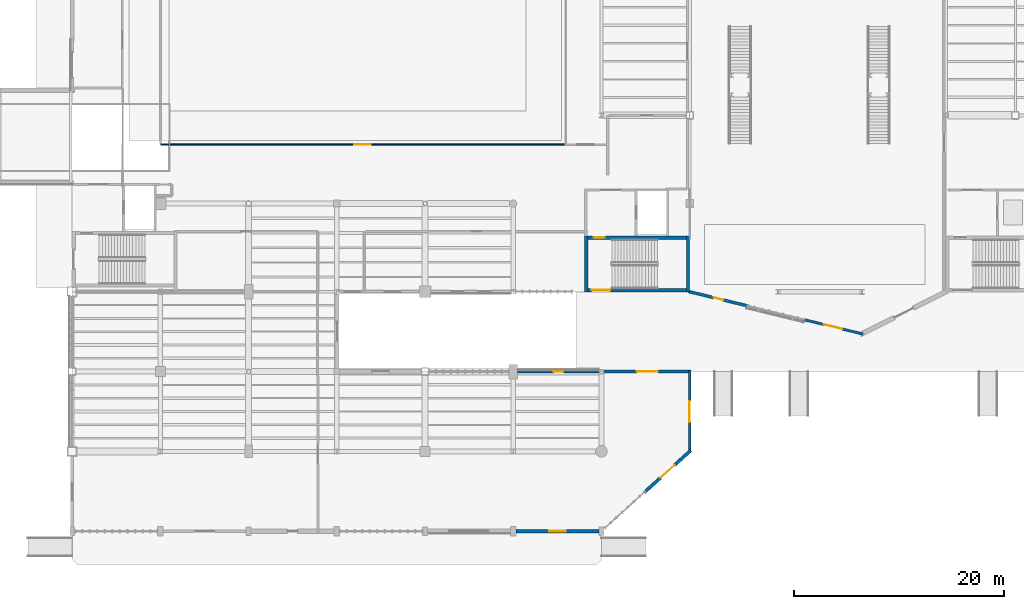
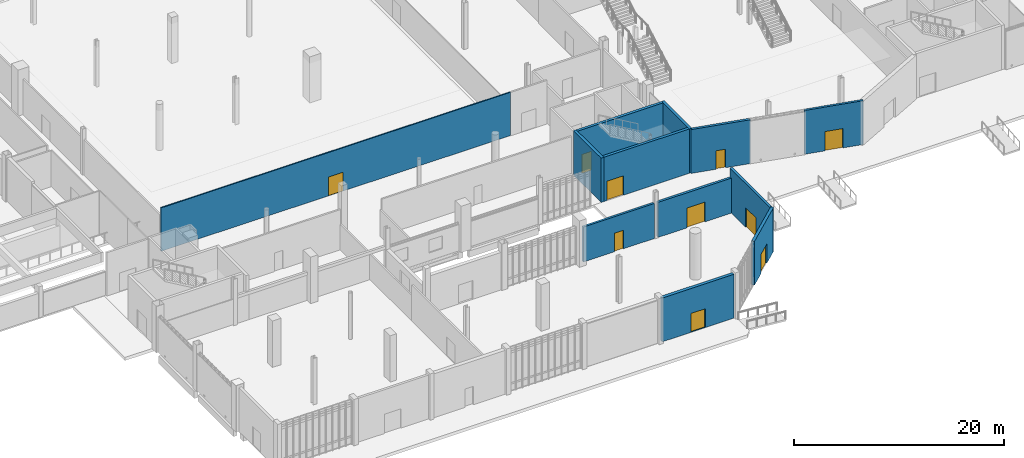
# One storey, part 86 of 111: 12 walls, 10 doors, 10 openings.
"""IFC4 building model written with IfcOpenShell, lengths in metres."""

import ifcopenshell
import ifcopenshell.guid

model = None  # the IFC model being written
_history = None  # IfcOwnerHistory: only IFC2X3 demands one
_inside = {}  # id of a spatial element -> (the spatial element, [elements in it])
_under = {}  # id of a project, library or spatial element -> (it, [spatial elements below it])
_declared = {}  # id of a project -> (the project, [libraries it declares])
_typed = {}  # id of a type object -> (the type object, [elements of that type])
_made_of = {}  # id of a material, layer set ... -> (it, [elements and type objects made of it])


def new_model(schema):
    """Start an empty IFC model of exactly this schema.

    Asked for "IFC4X3", IfcOpenShell would pick the latest addendum, in which some entities
    have other attributes; the version numbers below select the first issue.
    IFC2X3 requires an IfcOwnerHistory on every rooted entity: one is made here for all.
    """
    global model, _history
    if schema == "IFC4X3":
        model = ifcopenshell.file(schema_version=(4, 3, 0, 0))
    else:
        model = ifcopenshell.file(schema=schema)
    _inside.clear()
    _under.clear()
    _declared.clear()
    _typed.clear()
    _made_of.clear()
    _history = None
    if model.schema == "IFC2X3":
        org = make("IfcOrganization", Name="unknown")
        user = make(
            "IfcPersonAndOrganization",
            ThePerson=make("IfcPerson", FamilyName="unknown"),
            TheOrganization=org,
        )
        app = make(
            "IfcApplication",
            ApplicationDeveloper=org,
            Version="unknown",
            ApplicationFullName="unknown",
            ApplicationIdentifier="unknown",
        )
        _history = make(
            "IfcOwnerHistory",
            OwningUser=user,
            OwningApplication=app,
            ChangeAction="ADDED",
            CreationDate=0,
        )
    return model


def make(cls, **values):
    """One entity of the class cls with the attributes given. An attribute that is None is left unset."""
    return model.create_entity(
        cls, **{name: value for name, value in values.items() if value is not None}
    )


def rooted(cls, **values):
    """An entity with a GlobalId (a new one), such as an element, a storey or a relation."""
    return make(cls, GlobalId=ifcopenshell.guid.new(), OwnerHistory=_history, **values)


def si_unit(unit_type, name, prefix=None):
    """IfcSIUnit, for example si_unit("LENGTHUNIT", "METRE", prefix="MILLI")."""
    return make("IfcSIUnit", UnitType=unit_type, Prefix=prefix, Name=name)


def assignment(units):
    """IfcUnitAssignment: the units of a project."""
    return None if units is None else make("IfcUnitAssignment", Units=units)


def point(xyz):
    """IfcCartesianPoint."""
    return None if xyz is None else make("IfcCartesianPoint", Coordinates=xyz)


def direction(xyz):
    """IfcDirection."""
    return None if xyz is None else make("IfcDirection", DirectionRatios=xyz)


def frame(location, z_axis=None, x_axis=None):
    """IfcAxis2Placement3D, a coordinate frame: its origin and axes. An axis left out is left unset."""
    return make(
        "IfcAxis2Placement3D",
        Location=point(location),
        Axis=direction(z_axis),
        RefDirection=direction(x_axis),
    )


def frame_2d(location, x_axis=None):
    """IfcAxis2Placement2D, a coordinate frame in the plane: its origin and x axis."""
    return make(
        "IfcAxis2Placement2D", Location=point(location), RefDirection=direction(x_axis)
    )


def origin():
    """The frame at (0, 0, 0) with its axes left unset."""
    return frame((0.0, 0.0, 0.0))


def place(relative_to, where):
    """IfcLocalPlacement: puts the frame where relative to a parent placement (None: the world)."""
    return make(
        "IfcLocalPlacement", PlacementRelTo=relative_to, RelativePlacement=where
    )


def context(
    kind, dimensions, precision=None, world=None, true_north=None, identifier=None
):
    """IfcGeometricRepresentationContext, for example the 3D "Model" context."""
    return make(
        "IfcGeometricRepresentationContext",
        ContextIdentifier=identifier,
        ContextType=kind,
        CoordinateSpaceDimension=dimensions,
        Precision=precision,
        WorldCoordinateSystem=world,
        TrueNorth=true_north,
    )


def subcontext(parent, identifier, kind, view, scale=None):
    """IfcGeometricRepresentationSubContext, for example "Body" below "Model"."""
    return make(
        "IfcGeometricRepresentationSubContext",
        ContextIdentifier=identifier,
        ContextType=kind,
        ParentContext=parent,
        TargetScale=scale,
        TargetView=view,
    )


def project(units=None, contexts=None):
    """IfcProject with its units and contexts."""
    return rooted(
        "IfcProject",
        Name="project",
        RepresentationContexts=contexts,
        UnitsInContext=assignment(units),
    )


def spatial(cls, under=None, at=None, **own):
    """A site, building, storey or space (cls), placed at a placement, below another one or the project."""
    s = rooted(cls, ObjectPlacement=at, **own)
    if under is not None:
        _under.setdefault(under.id(), (under, []))[1].append(s)
    return s


def profile(cls, at=None, kind="AREA", **sizes):
    """A parametric profile (cls). Its sizes go by their IFC names, for example OverallWidth=200.0."""
    return make(cls, ProfileType=kind, Position=at, **sizes)


def rectangle(**sizes):
    """IfcRectangleProfileDef."""
    return profile("IfcRectangleProfileDef", **sizes)


def extrude(swept, where, along, depth):
    """IfcExtrudedAreaSolid: the profile swept, set in the frame where, extruded along a direction by depth."""
    return make(
        "IfcExtrudedAreaSolid",
        SweptArea=swept,
        Position=where,
        ExtrudedDirection=direction(along),
        Depth=depth,
    )


def shape(context_of_items, identifier, shape_type, items):
    """IfcShapeRepresentation: the items that make up one representation, for example the "Body"."""
    return make(
        "IfcShapeRepresentation",
        ContextOfItems=context_of_items,
        RepresentationIdentifier=identifier,
        RepresentationType=shape_type,
        Items=items,
    )


def material(Name=None, Category=None):
    """IfcMaterial."""
    return make("IfcMaterial", Name=Name, Category=Category)


def layer(
    of_material, thickness, ventilated=None, Name=None, Category=None, Priority=None
):
    """IfcMaterialLayer: one layer of a wall or slab, of a material (None: an air gap)."""
    return make(
        "IfcMaterialLayer",
        Material=of_material,
        LayerThickness=thickness,
        IsVentilated=ventilated,
        Name=Name,
        Category=Category,
        Priority=Priority,
    )


def layer_set(layers, Name=None):
    """IfcMaterialLayerSet."""
    return make("IfcMaterialLayerSet", MaterialLayers=layers, LayerSetName=Name)


def made_of(thing, what):
    """Note that an element or type object is made of a material, layer set ...; save() writes the relation."""
    if what is not None:
        _made_of.setdefault(what.id(), (what, []))[1].append(thing)
    return thing


def type_object(cls, material=None, **own):
    """A type object (cls), such as IfcWallType, which elements share."""
    return made_of(rooted(cls, **own), material)


def element(
    cls,
    number,
    at=None,
    inside=None,
    cuts=None,
    type_object=None,
    material=None,
    context=None,
    identifier="Body",
    shape_type=None,
    held_by="IfcProductDefinitionShape",
    body=None,
    shapes=None,
    **own,
):
    """One element of the class cls, such as IfcWall. Its Tag is "e" and its number.

    at: its placement. inside: the storey or other place that contains it. cuts: it is an
    opening in that element (IfcRelVoidsElement). A single representation is given by context,
    identifier, shape_type and body (its items); several are given by shapes. held_by: the class
    of the entity that holds the representations. save() writes the other relations.
    """
    e = rooted(cls, Tag="e%d" % number, ObjectPlacement=at, **own)
    if body is not None:
        shapes = [shape(context, identifier, shape_type, body)]
    if shapes is not None:
        e.Representation = make(held_by, Representations=shapes)
    if inside is not None:
        _inside.setdefault(inside.id(), (inside, []))[1].append(e)
    if cuts is not None:
        rooted(
            "IfcRelVoidsElement", RelatingBuildingElement=cuts, RelatedOpeningElement=e
        )
    if type_object is not None:
        _typed.setdefault(type_object.id(), (type_object, []))[1].append(e)
    return made_of(e, material)


def fill(opening, filler):
    """IfcRelFillsElement: the door or window that sits in an opening."""
    return rooted(
        "IfcRelFillsElement",
        RelatingOpeningElement=opening,
        RelatedBuildingElement=filler,
    )


def aggregate(whole, parts):
    """IfcRelAggregates: a whole, such as a stair, and the parts it consists of."""
    return rooted("IfcRelAggregates", RelatingObject=whole, RelatedObjects=parts)


def save(model, path):
    """Write the relations noted so far, then the file.

    IfcRelAggregates (storeys below a building ...), IfcRelContainedInSpatialStructure (elements
    in a storey), IfcRelDefinesByType, IfcRelAssociatesMaterial and IfcRelDeclares: one each for
    every whole, place, type object, material and project.
    """
    for whole, parts in _under.values():
        aggregate(whole, parts)
    for where, things in _inside.values():
        rooted(
            "IfcRelContainedInSpatialStructure",
            RelatedElements=things,
            RelatingStructure=where,
        )
    for kind, things in _typed.values():
        rooted("IfcRelDefinesByType", RelatedObjects=things, RelatingType=kind)
    for what, things in _made_of.values():
        rooted("IfcRelAssociatesMaterial", RelatedObjects=things, RelatingMaterial=what)
    for by, libraries in _declared.values():
        rooted("IfcRelDeclares", RelatingContext=by, RelatedDefinitions=libraries)
    model.write(path)


model = new_model("IFC4")

# Units and contexts
model_context = context("Model", 3, precision=1e-05, world=origin(), true_north=direction((0.0, 1.0)))
body_context = subcontext(model_context, "Body", "Model", "MODEL_VIEW")
ifc_project = project(units=[si_unit("LENGTHUNIT", "METRE"), si_unit("AREAUNIT", "SQUARE_METRE"), si_unit("VOLUMEUNIT", "CUBIC_METRE"), si_unit("PLANEANGLEUNIT", "RADIAN"), si_unit("MASSUNIT", "GRAM", prefix="KILO")], contexts=[model_context])

# Site, building, storey
site_placement = place(None, origin())
site = spatial("IfcSite", under=ifc_project, at=site_placement, CompositionType="ELEMENT")
building_placement = place(site_placement, origin())
building = spatial("IfcBuilding", under=site, at=building_placement, Name="Larkvane Passage Sports Hall", CompositionType="ELEMENT")
storey_placement = place(building_placement, origin())
storey = spatial("IfcBuildingStorey", under=building, at=storey_placement, Name="L00", CompositionType="ELEMENT", Elevation=0.0)

# Walls
ifc_material_1 = material(Name="Concrete C50/60", Category="concrete")
ifc_layer_1 = layer(ifc_material_1, 0.300048828125)
ifc_layer_set_1 = layer_set([ifc_layer_1], Name="Concrete C50/60")
wall_type_1 = type_object("IfcWallType", Name="WL-CORE-300", PredefinedType="SHEAR", material=ifc_layer_set_1)
for number, where, z_axis, x_axis, name in (
    (1, (83.75, 22.800048828125, 0.0), (0.0, 0.0, 1.0), (0.0, 1.0, 0.0), "Core shear wall WAL-CORE-C4-L00-W"),
    (2, (93.449951171875, 28.10009765625, 0.0), (0.0, 0.0, 1.0), (0.0, -1.0, 0.0), "Core shear wall WAL-CORE-C4-L00-E"),
):
    element("IfcWall", number, at=place(storey_placement, frame(where, z_axis=z_axis, x_axis=x_axis)), inside=storey, type_object=wall_type_1, Name=name, PredefinedType="SHEAR", context=body_context, shape_type="SweptSolid", body=[
        extrude(rectangle(XDim=5.300048828125, YDim=0.300048828125, at=frame_2d((2.64990234375, 0.0))), origin(), (0.0, 0.0, 1.0), 5.169921875),
    ])

# Wall, opening, door
wall_1_placement = place(storey_placement, frame((83.89990234375, 27.949951171875, 0.0), z_axis=(0.0, 0.0, 1.0), x_axis=(1.0, 0.0, 0.0)))
wall_1 = element("IfcWall", 3, at=wall_1_placement, inside=storey, type_object=wall_type_1, Name="Core shear wall WAL-CORE-C4-L00-N", PredefinedType="SHEAR", context=body_context, shape_type="SweptSolid", body=[
    extrude(rectangle(XDim=9.400146484375, YDim=0.300048828125, at=frame_2d((4.7001953125, 0.0))), origin(), (0.0, 0.0, 1.0), 5.169921875),
])
opening_1_placement = place(wall_1_placement, frame((0.550048828125, 0.0, 0.0)))
opening_1 = element("IfcOpeningElement", 4, at=opening_1_placement, cuts=wall_1, Name="Opening DF-01", PredefinedType="OPENING", context=body_context, shape_type="SweptSolid", body=[
    extrude(rectangle(XDim=1.050048828125, YDim=2.199951171875, at=frame_2d((0.52490234375, 1.10009765625))), frame((0.0, 0.159912109375, 0.0), z_axis=(0.0, -1.0, 0.0), x_axis=(1.0, 0.0, 0.0)), (0.0, 0.0, 1.0), 0.320068359375),
])
ifc_material_2 = material(Name="Steel S355JR smoke-sealed fire door", Category="steel")
door_type_1 = type_object("IfcDoorType", Name="DR-FIRE-1050", OperationType="NOTDEFINED", PredefinedType="DOOR", material=ifc_material_2)
door_1_placement = place(opening_1_placement, origin())
door_1 = element("IfcDoor", 5, at=door_1_placement, inside=storey, type_object=door_type_1, Name="Stair ST-04 L00 fire door", OperationType="SINGLE_SWING_RIGHT", OverallHeight=2.199951171875, OverallWidth=1.050048828125, PredefinedType="DOOR", context=body_context, shape_type="SweptSolid", body=[
    extrude(rectangle(XDim=1.050048828125, YDim=2.199951171875, at=frame_2d((0.52490234375, 1.10009765625))), frame((0.0, 0.02490234375, 0.0), z_axis=(0.0, -1.0, 0.0), x_axis=(1.0, 0.0, 0.0)), (0.0, 0.0, 1.0), 0.050048828125),
])
fill(opening_1, door_1)

ifc_layer_2 = layer(ifc_material_1, 0.300048828125)
ifc_layer_set_2 = layer_set([ifc_layer_2], Name="Concrete C50/60")
wall_type_2 = type_object("IfcWallType", Name="WL-CORE-EXT-300", PredefinedType="SHEAR", material=ifc_layer_set_2)
wall_2_placement = place(storey_placement, frame((93.300048828125, 22.949951171875, 0.0), z_axis=(0.0, 0.0, 1.0), x_axis=(-1.0, 0.0, 0.0)))
wall_2 = element("IfcWall", 6, at=wall_2_placement, inside=storey, type_object=wall_type_2, Name="Core shear wall WAL-CORE-C4-L00-S", PredefinedType="SHEAR", context=body_context, shape_type="SweptSolid", body=[
    extrude(rectangle(XDim=9.400146484375, YDim=0.300048828125, at=frame_2d((4.7001953125, 0.0))), origin(), (0.0, 0.0, 1.0), 5.169921875),
])
opening_2_placement = place(wall_2_placement, frame((7.25, 0.0, 0.0)))
opening_2 = element("IfcOpeningElement", 7, at=opening_2_placement, cuts=wall_2, Name="Opening DE-03", PredefinedType="OPENING", context=body_context, shape_type="SweptSolid", body=[
    extrude(rectangle(XDim=1.800048828125, YDim=2.25, at=frame_2d((0.89990234375, 1.125))), frame((0.0, 0.159912109375, 0.0), z_axis=(0.0, -1.0, 0.0), x_axis=(1.0, 0.0, 0.0)), (0.0, 0.0, 1.0), 0.320068359375),
])
ifc_material_3 = material(Name="Galvanised steel S355JR fire exit leaf", Category="steel")
door_type_2 = type_object("IfcDoorType", Name="DR-EXIT-1800", OperationType="DOUBLE_DOOR_SINGLE_SWING", PredefinedType="DOOR", material=ifc_material_3)
door_2_placement = place(opening_2_placement, origin())
door_2 = element("IfcDoor", 8, at=door_2_placement, inside=storey, type_object=door_type_2, Name="Stair ST-04 L00 direct final exit door", OperationType="DOUBLE_DOOR_SINGLE_SWING", OverallHeight=2.25, OverallWidth=1.800048828125, PredefinedType="DOOR", context=body_context, shape_type="SweptSolid", body=[
    extrude(rectangle(XDim=1.800048828125, YDim=2.25, at=frame_2d((0.89990234375, 1.125))), frame((0.0, 0.02490234375, 0.0), z_axis=(0.0, -1.0, 0.0), x_axis=(1.0, 0.0, 0.0)), (0.0, 0.0, 1.0), 0.050048828125),
])
fill(opening_2, door_2)

ifc_material_4 = material(Name="Concrete C40/50", Category="concrete")
ifc_layer_3 = layer(ifc_material_4, 0.239990234375)
ifc_layer_set_3 = layer_set([ifc_layer_3], Name="Concrete C40/50")
wall_type_3 = type_object("IfcWallType", Name="WL-EXT-240", PredefinedType="SOLIDWALL", material=ifc_layer_set_3)
wall_3_placement = place(storey_placement, frame((110.11181640625, 18.772705078125, 0.0), z_axis=(0.0, 0.0, 1.0), x_axis=(-0.971519168592, 0.236960977924, 0.0)))
wall_3 = element("IfcWall", 9, at=wall_3_placement, inside=storey, type_object=wall_type_3, Name="Exterior wall WAL-EXT-L00-054", PredefinedType="SOLIDWALL", context=body_context, shape_type="SweptSolid", body=[
    extrude(rectangle(XDim=5.857177734375, YDim=0.239990234375, at=frame_2d((2.9287109375, 0.0))), origin(), (0.0, 0.0, 1.0), 5.10009765625),
])
opening_3_placement = place(wall_3_placement, frame((2.029052734375, 0.0, 0.0)))
opening_3 = element("IfcOpeningElement", 10, at=opening_3_placement, cuts=wall_3, Name="Opening DE-03", PredefinedType="OPENING", context=body_context, shape_type="SweptSolid", body=[
    extrude(rectangle(XDim=1.800048828125, YDim=2.25, at=frame_2d((0.89990234375, 1.125))), frame((0.0, 0.1298828125, 0.0), z_axis=(0.0, -1.0, 0.0), x_axis=(1.0, 0.0, 0.0)), (0.0, 0.0, 1.0), 0.260009765625),
])
door_3_placement = place(opening_3_placement, origin())
door_3 = element("IfcDoor", 11, at=door_3_placement, inside=storey, type_object=door_type_2, Name="Exterior door L00-028", OperationType="DOUBLE_DOOR_SINGLE_SWING", OverallHeight=2.25, OverallWidth=1.800048828125, PredefinedType="DOOR", context=body_context, shape_type="SweptSolid", body=[
    extrude(rectangle(XDim=1.800048828125, YDim=2.25, at=frame_2d((0.89990234375, 1.125))), frame((0.0, 0.02490234375, 0.0), z_axis=(0.0, -1.0, 0.0), x_axis=(1.0, 0.0, 0.0)), (0.0, 0.0, 1.0), 0.050048828125),
])
fill(opening_3, door_3)

wall_4_placement = place(storey_placement, frame((77.196044921875, 15.199951171875, 0.0), z_axis=(0.0, 0.0, 1.0), x_axis=(1.0, 0.0, 0.0)))
wall_4 = element("IfcWall", 12, at=wall_4_placement, inside=storey, type_object=wall_type_3, Name="Exterior wall WAL-EXT-L00-060", PredefinedType="SOLIDWALL", context=body_context, shape_type="SweptSolid", body=[
    extrude(rectangle(XDim=7.807861328125, YDim=0.239990234375, at=frame_2d((3.90380859375, 0.0))), origin(), (0.0, 0.0, 1.0), 4.077880859375),
])
opening_4_placement = place(wall_4_placement, frame((3.428955078125, 0.0, 0.0)))
opening_4 = element("IfcOpeningElement", 13, at=opening_4_placement, cuts=wall_4, Name="Opening DE-08", PredefinedType="OPENING", context=body_context, shape_type="SweptSolid", body=[
    extrude(rectangle(XDim=0.949951171875, YDim=2.14990234375, at=frame_2d((0.47509765625, 1.074951171875))), frame((0.0, 0.1298828125, 0.0), z_axis=(0.0, -1.0, 0.0), x_axis=(1.0, 0.0, 0.0)), (0.0, 0.0, 1.0), 0.260009765625),
])
door_type_3 = type_object("IfcDoorType", Name="DR-FIRE-950", OperationType="NOTDEFINED", PredefinedType="DOOR", material=ifc_material_3)
door_4_placement = place(opening_4_placement, origin())
door_4 = element("IfcDoor", 14, at=door_4_placement, inside=storey, type_object=door_type_3, Name="Exterior door L00-032", OperationType="SINGLE_SWING_RIGHT", OverallHeight=2.14990234375, OverallWidth=0.949951171875, PredefinedType="DOOR", context=body_context, shape_type="SweptSolid", body=[
    extrude(rectangle(XDim=0.949951171875, YDim=2.14990234375, at=frame_2d((0.47509765625, 1.074951171875))), frame((0.0, 0.02490234375, 0.0), z_axis=(0.0, -1.0, 0.0), x_axis=(1.0, 0.0, 0.0)), (0.0, 0.0, 1.0), 0.050048828125),
])
fill(opening_4, door_4)

ifc_layer_4 = layer(ifc_material_4, 0.27490234375)
ifc_layer_set_4 = layer_set([ifc_layer_4], Name="Concrete C40/50")
wall_type_4 = type_object("IfcWallType", Name="WL-EXT-275", PredefinedType="SOLIDWALL", material=ifc_layer_set_4)
wall_5_placement = place(storey_placement, frame((93.60009765625, 15.33203125, 0.0), z_axis=(0.0, 0.0, 1.0), x_axis=(0.0, -1.0, 0.0)))
wall_5 = element("IfcWall", 15, at=wall_5_placement, inside=storey, type_object=wall_type_4, Name="Exterior wall WAL-EXT-L00-001", PredefinedType="SOLIDWALL", context=body_context, shape_type="SweptSolid", body=[
    extrude(rectangle(XDim=7.864013671875, YDim=0.27490234375, at=frame_2d((3.93212890625, 0.0))), origin(), (0.0, 0.0, 1.0), 5.10009765625),
])
opening_5_placement = place(wall_5_placement, frame((2.931884765625, 0.0, 0.0)))
opening_5 = element("IfcOpeningElement", 16, at=opening_5_placement, cuts=wall_5, Name="Opening DE-02", PredefinedType="OPENING", context=body_context, shape_type="SweptSolid", body=[
    extrude(rectangle(XDim=2.0, YDim=2.300048828125, at=frame_2d((1.0, 1.14990234375))), frame((0.0, 0.1474609375, 0.0), z_axis=(0.0, -1.0, 0.0), x_axis=(1.0, 0.0, 0.0)), (0.0, 0.0, 1.0), 0.294921875),
])
ifc_material_5 = material(Name="Anodised aluminium and toughened glass", Category="aluminium")
door_type_4 = type_object("IfcDoorType", Name="DR-ENTR-2000", OperationType="DOUBLE_DOOR_SINGLE_SWING", PredefinedType="DOOR", material=ifc_material_5)
door_5_placement = place(opening_5_placement, origin())
door_5 = element("IfcDoor", 17, at=door_5_placement, inside=storey, type_object=door_type_4, Name="Exterior door L00-001", OperationType="DOUBLE_DOOR_SINGLE_SWING", OverallHeight=2.300048828125, OverallWidth=2.0, PredefinedType="DOOR", context=body_context, shape_type="SweptSolid", body=[
    extrude(rectangle(XDim=2.0, YDim=2.300048828125, at=frame_2d((1.0, 1.14990234375))), frame((0.0, 0.02490234375, 0.0), z_axis=(0.0, -1.0, 0.0), x_axis=(1.0, 0.0, 0.0)), (0.0, 0.0, 1.0), 0.050048828125),
])
fill(opening_5, door_5)

wall_6_placement = place(storey_placement, frame((99.19482421875, 21.435302734375, 0.0), z_axis=(0.0, 0.0, 1.0), x_axis=(-0.971518473988, 0.236963825721, 0.0)))
wall_6 = element("IfcWall", 18, at=wall_6_placement, inside=storey, type_object=wall_type_4, Name="Exterior wall WAL-EXT-L00-055", PredefinedType="SOLIDWALL", context=body_context, shape_type="SweptSolid", body=[
    extrude(rectangle(XDim=5.880859375, YDim=0.27490234375, at=frame_2d((2.9404296875, 0.0))), origin(), (0.0, 0.0, 1.0), 5.10009765625),
])
opening_6_placement = place(wall_6_placement, frame((2.465087890625, 0.0, 0.0)))
opening_6 = element("IfcOpeningElement", 19, at=opening_6_placement, cuts=wall_6, Name="Opening DE-08", PredefinedType="OPENING", context=body_context, shape_type="SweptSolid", body=[
    extrude(rectangle(XDim=0.949951171875, YDim=2.14990234375, at=frame_2d((0.47509765625, 1.074951171875))), frame((0.0, 0.1474609375, 0.0), z_axis=(0.0, -1.0, 0.0), x_axis=(1.0, 0.0, 0.0)), (0.0, 0.0, 1.0), 0.294921875),
])
door_6_placement = place(opening_6_placement, origin())
door_6 = element("IfcDoor", 20, at=door_6_placement, inside=storey, type_object=door_type_3, Name="Exterior door L00-029", OperationType="SINGLE_SWING_LEFT", OverallHeight=2.14990234375, OverallWidth=0.949951171875, PredefinedType="DOOR", context=body_context, shape_type="SweptSolid", body=[
    extrude(rectangle(XDim=0.949951171875, YDim=2.14990234375, at=frame_2d((0.47509765625, 1.074951171875))), frame((0.0, 0.02490234375, 0.0), z_axis=(0.0, -1.0, 0.0), x_axis=(1.0, 0.0, 0.0)), (0.0, 0.0, 1.0), 0.050048828125),
])
fill(opening_6, door_6)

wall_7_placement = place(storey_placement, frame((85.39599609375, 15.199951171875, 0.0), z_axis=(0.0, 0.0, 1.0), x_axis=(1.0, 0.0, 0.0)))
wall_7 = element("IfcWall", 21, at=wall_7_placement, inside=storey, type_object=wall_type_4, Name="Exterior wall WAL-EXT-L00-061", PredefinedType="SOLIDWALL", context=body_context, shape_type="SweptSolid", body=[
    extrude(rectangle(XDim=8.3359375, YDim=0.27490234375, at=frame_2d((4.16796875, 0.0))), origin(), (0.0, 0.0, 1.0), 4.077880859375),
])
opening_7_placement = place(wall_7_placement, frame((3.16796875, 0.0, 0.0)))
opening_7 = element("IfcOpeningElement", 22, at=opening_7_placement, cuts=wall_7, Name="Opening DE-02", PredefinedType="OPENING", context=body_context, shape_type="SweptSolid", body=[
    extrude(rectangle(XDim=2.0, YDim=2.300048828125, at=frame_2d((1.0, 1.14990234375))), frame((0.0, 0.1474609375, 0.0), z_axis=(0.0, -1.0, 0.0), x_axis=(1.0, 0.0, 0.0)), (0.0, 0.0, 1.0), 0.294921875),
])
door_7_placement = place(opening_7_placement, origin())
door_7 = element("IfcDoor", 23, at=door_7_placement, inside=storey, type_object=door_type_4, Name="Exterior door L00-033", OperationType="DOUBLE_DOOR_SINGLE_SWING", OverallHeight=2.300048828125, OverallWidth=2.0, PredefinedType="DOOR", context=body_context, shape_type="SweptSolid", body=[
    extrude(rectangle(XDim=2.0, YDim=2.300048828125, at=frame_2d((1.0, 1.14990234375))), frame((0.0, 0.02490234375, 0.0), z_axis=(0.0, -1.0, 0.0), x_axis=(1.0, 0.0, 0.0)), (0.0, 0.0, 1.0), 0.050048828125),
])
fill(opening_7, door_7)

ifc_material_6 = material(Name="Precast concrete C45/55", Category="concrete")
ifc_layer_5 = layer(ifc_material_6, 0.31005859375)
ifc_layer_set_5 = layer_set([ifc_layer_5], Name="Precast concrete C45/55")
wall_type_5 = type_object("IfcWallType", Name="WL-EXT-310", PredefinedType="SOLIDWALL", material=ifc_layer_set_5)
wall_8_placement = place(storey_placement, frame((93.710205078125, 7.69970703125, 0.0), z_axis=(0.0, 0.0, 1.0), x_axis=(-0.741528017063, -0.670921902989, 0.0)))
wall_8 = element("IfcWall", 24, at=wall_8_placement, inside=storey, type_object=wall_type_5, Name="Exterior wall WAL-EXT-L00-002", PredefinedType="SOLIDWALL", context=body_context, shape_type="SweptSolid", body=[
    extrude(rectangle(XDim=5.961181640625, YDim=0.31005859375, at=frame_2d((2.98046875, 0.0))), origin(), (0.0, 0.0, 1.0), 5.10009765625),
])
opening_8_placement = place(wall_8_placement, frame((2.0810546875, 0.0, 0.0)))
opening_8 = element("IfcOpeningElement", 25, at=opening_8_placement, cuts=wall_8, Name="Opening DE-03", PredefinedType="OPENING", context=body_context, shape_type="SweptSolid", body=[
    extrude(rectangle(XDim=1.800048828125, YDim=2.25, at=frame_2d((0.89990234375, 1.125))), frame((0.0, 0.1650390625, 0.0), z_axis=(0.0, -1.0, 0.0), x_axis=(1.0, 0.0, 0.0)), (0.0, 0.0, 1.0), 0.330078125),
])
door_8_placement = place(opening_8_placement, origin())
door_8 = element("IfcDoor", 26, at=door_8_placement, inside=storey, type_object=door_type_2, Name="Exterior door L00-002", OperationType="DOUBLE_DOOR_SINGLE_SWING", OverallHeight=2.25, OverallWidth=1.800048828125, PredefinedType="DOOR", context=body_context, shape_type="SweptSolid", body=[
    extrude(rectangle(XDim=1.800048828125, YDim=2.25, at=frame_2d((0.89990234375, 1.125))), frame((0.0, 0.02490234375, 0.0), z_axis=(0.0, -1.0, 0.0), x_axis=(1.0, 0.0, 0.0)), (0.0, 0.0, 1.0), 0.050048828125),
])
fill(opening_8, door_8)

ifc_layer_6 = layer(ifc_material_6, 0.344970703125)
ifc_layer_set_6 = layer_set([ifc_layer_6], Name="Precast concrete C45/55")
wall_type_6 = type_object("IfcWallType", Name="WL-EXT-345", PredefinedType="SOLIDWALL", material=ifc_layer_set_6)
wall_9_placement = place(storey_placement, frame((84.97900390625, 0.0, 0.0), z_axis=(0.0, 0.0, 1.0), x_axis=(-1.0, 0.0, 0.0)))
wall_9 = element("IfcWall", 27, at=wall_9_placement, inside=storey, type_object=wall_type_6, Name="Exterior wall WAL-EXT-L00-003", PredefinedType="SOLIDWALL", context=body_context, shape_type="SweptSolid", body=[
    extrude(rectangle(XDim=7.93310546875, YDim=0.344970703125, at=frame_2d((3.966552734375, 0.0))), origin(), (0.0, 0.0, 1.0), 5.10009765625),
])
opening_9_placement = place(wall_9_placement, frame((3.1669921875, 0.0, 0.0)))
opening_9 = element("IfcOpeningElement", 28, at=opening_9_placement, cuts=wall_9, Name="Opening DE-04", PredefinedType="OPENING", context=body_context, shape_type="SweptSolid", body=[
    extrude(rectangle(XDim=1.60009765625, YDim=2.199951171875, at=frame_2d((0.800048828125, 1.10009765625))), frame((0.0, 0.182373046875, 0.0), z_axis=(0.0, -1.0, 0.0), x_axis=(1.0, 0.0, 0.0)), (0.0, 0.0, 1.0), 0.364990234375),
])
door_type_5 = type_object("IfcDoorType", Name="DR-EXIT-1600", OperationType="DOUBLE_DOOR_SINGLE_SWING", PredefinedType="DOOR", material=ifc_material_3)
door_9_placement = place(opening_9_placement, origin())
door_9 = element("IfcDoor", 29, at=door_9_placement, inside=storey, type_object=door_type_5, Name="Exterior door L00-003", OperationType="DOUBLE_DOOR_SINGLE_SWING", OverallHeight=2.199951171875, OverallWidth=1.60009765625, PredefinedType="DOOR", context=body_context, shape_type="SweptSolid", body=[
    extrude(rectangle(XDim=1.60009765625, YDim=2.199951171875, at=frame_2d((0.800048828125, 1.10009765625))), frame((0.0, 0.02490234375, 0.0), z_axis=(0.0, -1.0, 0.0), x_axis=(1.0, 0.0, 0.0)), (0.0, 0.0, 1.0), 0.050048828125),
])
fill(opening_9, door_9)

ifc_material_7 = material(Name="Gypsum twin-stud fire-rated partition")
ifc_layer_7 = layer(ifc_material_7, 0.125)
ifc_layer_set_7 = layer_set([ifc_layer_7], Name="Gypsum twin-stud fire-rated partition")
wall_type_7 = type_object("IfcWallType", Name="WL-PART-125", PredefinedType="PARTITIONING", material=ifc_layer_set_7)
wall_10_placement = place(storey_placement, frame((81.659912109375, 36.820068359375, 0.0), z_axis=(0.0, 0.0, 1.0), x_axis=(-1.0, 0.0, 0.0)))
wall_10 = element("IfcWall", 30, at=wall_10_placement, inside=storey, type_object=wall_type_7, Name="Interior partition WAL-PART-L00-0049", PredefinedType="PARTITIONING", context=body_context, shape_type="SweptSolid", body=[
    extrude(rectangle(XDim=38.43994140625, YDim=0.125, at=frame_2d((19.219970703125, 0.0))), origin(), (0.0, 0.0, 1.0), 5.050048828125),
])
opening_10_placement = place(wall_10_placement, frame((18.419921875, 0.0, 0.0)))
opening_10 = element("IfcOpeningElement", 31, at=opening_10_placement, cuts=wall_10, Name="Opening DI-03", PredefinedType="OPENING", context=body_context, shape_type="SweptSolid", body=[
    extrude(rectangle(XDim=1.60009765625, YDim=2.199951171875, at=frame_2d((0.800048828125, 1.10009765625))), frame((0.0, 0.072509765625, 0.0), z_axis=(0.0, -1.0, 0.0), x_axis=(1.0, 0.0, 0.0)), (0.0, 0.0, 1.0), 0.14501953125),
])
ifc_material_8 = material(Name="Glazed aluminium studio double door", Category="aluminium")
door_type_6 = type_object("IfcDoorType", Name="DR-INT-1600", OperationType="DOUBLE_DOOR_SINGLE_SWING", PredefinedType="DOOR", material=ifc_material_8)
door_10_placement = place(opening_10_placement, origin())
door_10 = element("IfcDoor", 32, at=door_10_placement, inside=storey, type_object=door_type_6, Name="Interior door L00-0018", OperationType="DOUBLE_DOOR_SINGLE_SWING", OverallHeight=2.199951171875, OverallWidth=1.60009765625, PredefinedType="DOOR", context=body_context, shape_type="SweptSolid", body=[
    extrude(rectangle(XDim=1.60009765625, YDim=2.199951171875, at=frame_2d((0.800048828125, 1.10009765625))), frame((0.0, 0.02490234375, 0.0), z_axis=(0.0, -1.0, 0.0), x_axis=(1.0, 0.0, 0.0)), (0.0, 0.0, 1.0), 0.050048828125),
])
fill(opening_10, door_10)

save(model, "model.ifc")
